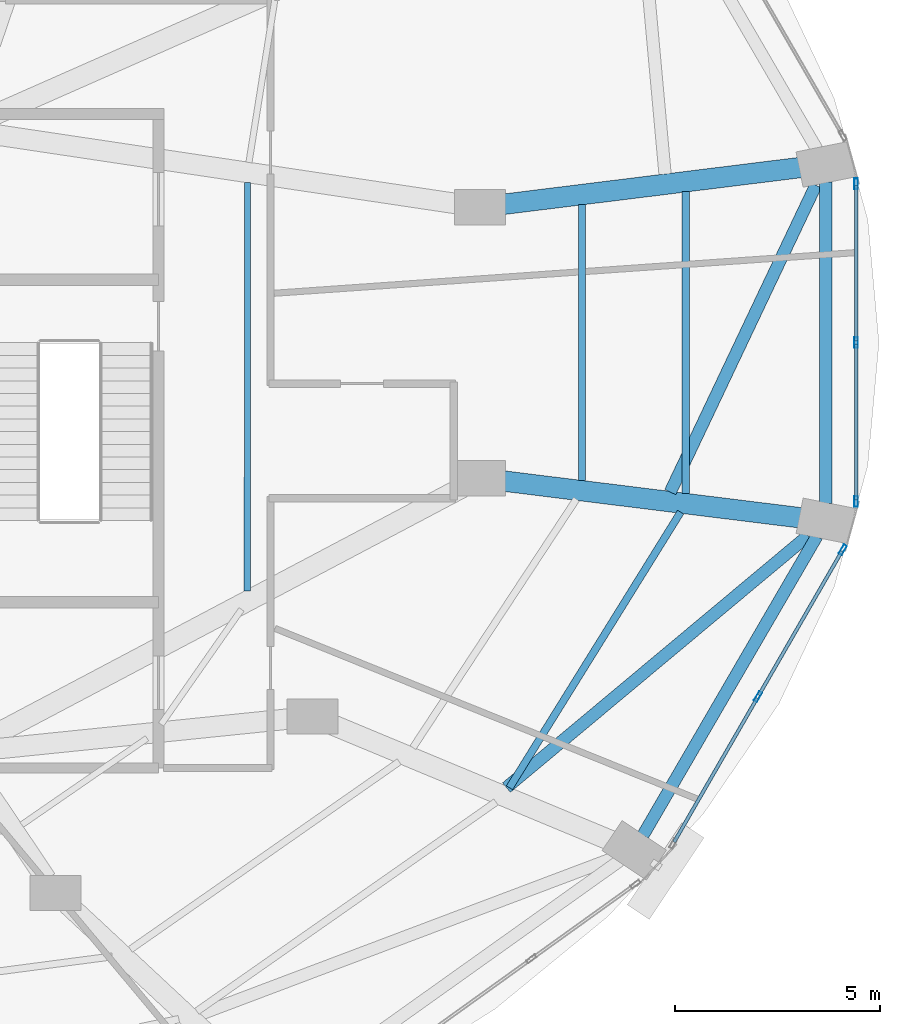
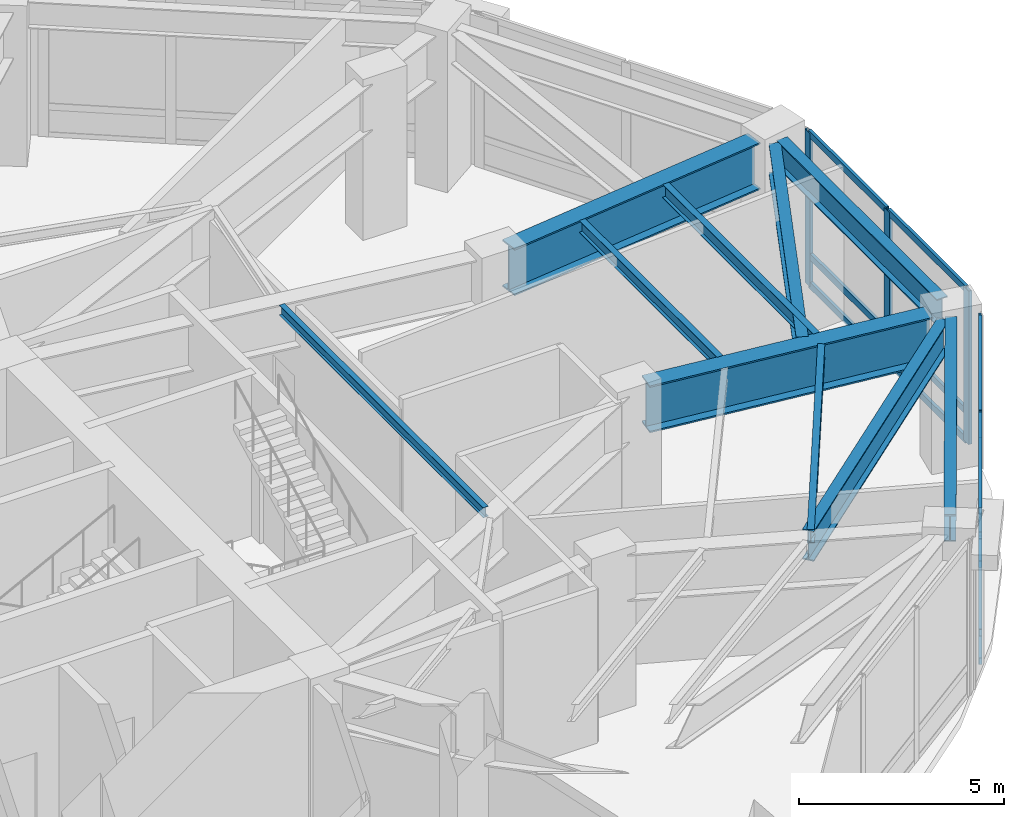
# One storey, part 12 of 24: 17 members, 10 beams, 2 elements without a shape of their own.
"""IFC4 building model written with IfcOpenShell, lengths in metres."""

import ifcopenshell
import ifcopenshell.guid

model = None  # the IFC model being written
_history = None  # IfcOwnerHistory: only IFC2X3 demands one
_inside = {}  # id of a spatial element -> (the spatial element, [elements in it])
_under = {}  # id of a project, library or spatial element -> (it, [spatial elements below it])
_declared = {}  # id of a project -> (the project, [libraries it declares])
_typed = {}  # id of a type object -> (the type object, [elements of that type])
_made_of = {}  # id of a material, layer set ... -> (it, [elements and type objects made of it])


def new_model(schema):
    """Start an empty IFC model of exactly this schema.

    Asked for "IFC4X3", IfcOpenShell would pick the latest addendum, in which some entities
    have other attributes; the version numbers below select the first issue.
    IFC2X3 requires an IfcOwnerHistory on every rooted entity: one is made here for all.
    """
    global model, _history
    if schema == "IFC4X3":
        model = ifcopenshell.file(schema_version=(4, 3, 0, 0))
    else:
        model = ifcopenshell.file(schema=schema)
    _inside.clear()
    _under.clear()
    _declared.clear()
    _typed.clear()
    _made_of.clear()
    _history = None
    if model.schema == "IFC2X3":
        org = make("IfcOrganization", Name="unknown")
        user = make(
            "IfcPersonAndOrganization",
            ThePerson=make("IfcPerson", FamilyName="unknown"),
            TheOrganization=org,
        )
        app = make(
            "IfcApplication",
            ApplicationDeveloper=org,
            Version="unknown",
            ApplicationFullName="unknown",
            ApplicationIdentifier="unknown",
        )
        _history = make(
            "IfcOwnerHistory",
            OwningUser=user,
            OwningApplication=app,
            ChangeAction="ADDED",
            CreationDate=0,
        )
    return model


def make(cls, **values):
    """One entity of the class cls with the attributes given. An attribute that is None is left unset."""
    return model.create_entity(
        cls, **{name: value for name, value in values.items() if value is not None}
    )


def rooted(cls, **values):
    """An entity with a GlobalId (a new one), such as an element, a storey or a relation."""
    return make(cls, GlobalId=ifcopenshell.guid.new(), OwnerHistory=_history, **values)


def si_unit(unit_type, name, prefix=None):
    """IfcSIUnit, for example si_unit("LENGTHUNIT", "METRE", prefix="MILLI")."""
    return make("IfcSIUnit", UnitType=unit_type, Prefix=prefix, Name=name)


def assignment(units):
    """IfcUnitAssignment: the units of a project."""
    return None if units is None else make("IfcUnitAssignment", Units=units)


def point(xyz):
    """IfcCartesianPoint."""
    return None if xyz is None else make("IfcCartesianPoint", Coordinates=xyz)


def direction(xyz):
    """IfcDirection."""
    return None if xyz is None else make("IfcDirection", DirectionRatios=xyz)


def frame(location, z_axis=None, x_axis=None):
    """IfcAxis2Placement3D, a coordinate frame: its origin and axes. An axis left out is left unset."""
    return make(
        "IfcAxis2Placement3D",
        Location=point(location),
        Axis=direction(z_axis),
        RefDirection=direction(x_axis),
    )


def frame_2d(location, x_axis=None):
    """IfcAxis2Placement2D, a coordinate frame in the plane: its origin and x axis."""
    return make(
        "IfcAxis2Placement2D", Location=point(location), RefDirection=direction(x_axis)
    )


def origin():
    """The frame at (0, 0, 0) with its axes left unset."""
    return frame((0.0, 0.0, 0.0))


def origin_2d():
    """The frame at (0, 0) in the plane with its x axis left unset."""
    return frame_2d((0.0, 0.0))


def place(relative_to, where):
    """IfcLocalPlacement: puts the frame where relative to a parent placement (None: the world)."""
    return make(
        "IfcLocalPlacement", PlacementRelTo=relative_to, RelativePlacement=where
    )


def context(
    kind, dimensions, precision=None, world=None, true_north=None, identifier=None
):
    """IfcGeometricRepresentationContext, for example the 3D "Model" context."""
    return make(
        "IfcGeometricRepresentationContext",
        ContextIdentifier=identifier,
        ContextType=kind,
        CoordinateSpaceDimension=dimensions,
        Precision=precision,
        WorldCoordinateSystem=world,
        TrueNorth=true_north,
    )


def subcontext(parent, identifier, kind, view, scale=None):
    """IfcGeometricRepresentationSubContext, for example "Body" below "Model"."""
    return make(
        "IfcGeometricRepresentationSubContext",
        ContextIdentifier=identifier,
        ContextType=kind,
        ParentContext=parent,
        TargetScale=scale,
        TargetView=view,
    )


def project(units=None, contexts=None):
    """IfcProject with its units and contexts."""
    return rooted(
        "IfcProject",
        Name="project",
        RepresentationContexts=contexts,
        UnitsInContext=assignment(units),
    )


def spatial(cls, under=None, at=None, **own):
    """A site, building, storey or space (cls), placed at a placement, below another one or the project."""
    s = rooted(cls, ObjectPlacement=at, **own)
    if under is not None:
        _under.setdefault(under.id(), (under, []))[1].append(s)
    return s


def profile(cls, at=None, kind="AREA", **sizes):
    """A parametric profile (cls). Its sizes go by their IFC names, for example OverallWidth=200.0."""
    return make(cls, ProfileType=kind, Position=at, **sizes)


def hollow_rectangle(**sizes):
    """IfcRectangleHollowProfileDef."""
    return profile("IfcRectangleHollowProfileDef", **sizes)


def i_section(**sizes):
    """IfcIShapeProfileDef."""
    return profile("IfcIShapeProfileDef", **sizes)


def extrude(swept, where, along, depth):
    """IfcExtrudedAreaSolid: the profile swept, set in the frame where, extruded along a direction by depth."""
    return make(
        "IfcExtrudedAreaSolid",
        SweptArea=swept,
        Position=where,
        ExtrudedDirection=direction(along),
        Depth=depth,
    )


def shape(context_of_items, identifier, shape_type, items):
    """IfcShapeRepresentation: the items that make up one representation, for example the "Body"."""
    return make(
        "IfcShapeRepresentation",
        ContextOfItems=context_of_items,
        RepresentationIdentifier=identifier,
        RepresentationType=shape_type,
        Items=items,
    )


def material(Name=None, Category=None):
    """IfcMaterial."""
    return make("IfcMaterial", Name=Name, Category=Category)


def layer(
    of_material, thickness, ventilated=None, Name=None, Category=None, Priority=None
):
    """IfcMaterialLayer: one layer of a wall or slab, of a material (None: an air gap)."""
    return make(
        "IfcMaterialLayer",
        Material=of_material,
        LayerThickness=thickness,
        IsVentilated=ventilated,
        Name=Name,
        Category=Category,
        Priority=Priority,
    )


def layer_set(layers, Name=None):
    """IfcMaterialLayerSet."""
    return make("IfcMaterialLayerSet", MaterialLayers=layers, LayerSetName=Name)


def material_profile(
    of_material, cross_section, Name=None, Category=None, Priority=None
):
    """IfcMaterialProfile: a cross section and its material."""
    return make(
        "IfcMaterialProfile",
        Name=Name,
        Material=of_material,
        Profile=cross_section,
        Priority=Priority,
        Category=Category,
    )


def profile_set(profiles, Name=None, composite=None):
    """IfcMaterialProfileSet."""
    return make(
        "IfcMaterialProfileSet",
        Name=Name,
        MaterialProfiles=profiles,
        CompositeProfile=composite,
    )


def made_of(thing, what):
    """Note that an element or type object is made of a material, layer set ...; save() writes the relation."""
    if what is not None:
        _made_of.setdefault(what.id(), (what, []))[1].append(thing)
    return thing


def type_object(cls, material=None, **own):
    """A type object (cls), such as IfcWallType, which elements share."""
    return made_of(rooted(cls, **own), material)


def element(
    cls,
    number,
    at=None,
    inside=None,
    cuts=None,
    type_object=None,
    material=None,
    context=None,
    identifier="Body",
    shape_type=None,
    held_by="IfcProductDefinitionShape",
    body=None,
    shapes=None,
    **own,
):
    """One element of the class cls, such as IfcWall. Its Tag is "e" and its number.

    at: its placement. inside: the storey or other place that contains it. cuts: it is an
    opening in that element (IfcRelVoidsElement). A single representation is given by context,
    identifier, shape_type and body (its items); several are given by shapes. held_by: the class
    of the entity that holds the representations. save() writes the other relations.
    """
    e = rooted(cls, Tag="e%d" % number, ObjectPlacement=at, **own)
    if body is not None:
        shapes = [shape(context, identifier, shape_type, body)]
    if shapes is not None:
        e.Representation = make(held_by, Representations=shapes)
    if inside is not None:
        _inside.setdefault(inside.id(), (inside, []))[1].append(e)
    if cuts is not None:
        rooted(
            "IfcRelVoidsElement", RelatingBuildingElement=cuts, RelatedOpeningElement=e
        )
    if type_object is not None:
        _typed.setdefault(type_object.id(), (type_object, []))[1].append(e)
    return made_of(e, material)


def aggregate(whole, parts):
    """IfcRelAggregates: a whole, such as a stair, and the parts it consists of."""
    return rooted("IfcRelAggregates", RelatingObject=whole, RelatedObjects=parts)


def save(model, path):
    """Write the relations noted so far, then the file.

    IfcRelAggregates (storeys below a building ...), IfcRelContainedInSpatialStructure (elements
    in a storey), IfcRelDefinesByType, IfcRelAssociatesMaterial and IfcRelDeclares: one each for
    every whole, place, type object, material and project.
    """
    for whole, parts in _under.values():
        aggregate(whole, parts)
    for where, things in _inside.values():
        rooted(
            "IfcRelContainedInSpatialStructure",
            RelatedElements=things,
            RelatingStructure=where,
        )
    for kind, things in _typed.values():
        rooted("IfcRelDefinesByType", RelatedObjects=things, RelatingType=kind)
    for what, things in _made_of.values():
        rooted("IfcRelAssociatesMaterial", RelatedObjects=things, RelatingMaterial=what)
    for by, libraries in _declared.values():
        rooted("IfcRelDeclares", RelatingContext=by, RelatedDefinitions=libraries)
    model.write(path)


model = new_model("IFC4")

# Units and contexts
model_context = context("Model", 3, precision=1e-05, world=origin(), true_north=direction((0.0, 1.0)))
body_context = subcontext(model_context, "Body", "Model", "MODEL_VIEW")
ifc_project = project(units=[si_unit("LENGTHUNIT", "METRE"), si_unit("AREAUNIT", "SQUARE_METRE"), si_unit("VOLUMEUNIT", "CUBIC_METRE"), si_unit("PLANEANGLEUNIT", "RADIAN"), si_unit("MASSUNIT", "GRAM", prefix="KILO")], contexts=[model_context])

# Site, building, storey
site_placement = place(None, origin())
site = spatial("IfcSite", under=ifc_project, at=site_placement, CompositionType="ELEMENT")
building_placement = place(site_placement, origin())
building = spatial("IfcBuilding", under=site, at=building_placement, Name="Lazwardi Medical Tower", CompositionType="ELEMENT")
storey_placement = place(building_placement, frame((0.0, 0.0, 20.39990234375)))
storey = spatial("IfcBuildingStorey", under=building, at=storey_placement, Name="L04", CompositionType="ELEMENT", Elevation=20.39990234375)

# Beams
ifc_material_1 = material(Name="Steel S460", Category="steel")
ifc_material_profile_1 = material_profile(ifc_material_1, i_section(OverallWidth=0.300048828125, OverallDepth=0.89990234375, WebThickness=0.0185546875, FlangeThickness=0.034912109375, at=origin_2d()), Name="HEB 900")
ifc_profile_set_1 = profile_set([ifc_material_profile_1], Name="Steel S460")
beam_type_1 = type_object("IfcBeamType", Name="BM-HB-01", PredefinedType="BEAM", material=ifc_profile_set_1)
beam_1_placement = place(storey_placement, frame((58.907958984375, 19.54296875, 4.130126953125), z_axis=(0.767532240903, 0.641010342486, 0.0), x_axis=(-0.641010342486, 0.767532240903, 0.0)))
element("IfcBeam", 1, at=beam_1_placement, inside=storey, type_object=beam_type_1, Name="Transfer girder tie HB-01 M03 L04", PredefinedType="BEAM", context=body_context, shape_type="SweptSolid", body=[
    extrude(i_section(OverallWidth=0.300048828125, OverallDepth=0.89990234375, WebThickness=0.0185546875, FlangeThickness=0.034912109375, at=origin_2d()), origin(), (0.0, 0.0, 1.0), 9.59033203125),
])
beam_2_placement = place(storey_placement, frame((62.905029296875, 26.753662109375, 4.130126953125), z_axis=(0.428601464893, 0.903493654815, 0.0), x_axis=(-0.903493654815, 0.428601464893, 0.0)))
element("IfcBeam", 2, at=beam_2_placement, inside=storey, type_object=beam_type_1, Name="Transfer girder tie HB-01 M04 L04", PredefinedType="BEAM", context=body_context, shape_type="SweptSolid", body=[
    extrude(i_section(OverallWidth=0.300048828125, OverallDepth=0.89990234375, WebThickness=0.0185546875, FlangeThickness=0.034912109375, at=origin_2d()), origin(), (0.0, 0.0, 1.0), 8.290771484375),
])
ifc_material_2 = material(Name="Steel S355", Category="steel")
ifc_material_profile_2 = material_profile(ifc_material_2, i_section(OverallWidth=0.300048828125, OverallDepth=0.800048828125, WebThickness=0.017578125, FlangeThickness=0.032958984375, at=origin_2d()), Name="HEB 800")
ifc_profile_set_2 = profile_set([ifc_material_profile_2], Name="Steel S355")
beam_type_2 = type_object("IfcBeamType", Name="BM-RB-P1", PredefinedType="BEAM", material=ifc_profile_set_2)
beam_3_placement = place(storey_placement, frame((62.2412109375, 18.382568359375, 4.18017578125), z_axis=(0.502605874383, 0.864515665003, 0.0), x_axis=(-0.864515665003, 0.502605874383, 0.0)))
element("IfcBeam", 3, at=beam_3_placement, inside=storey, type_object=beam_type_2, Name="Ring beam RB-01 B03 L04", PredefinedType="BEAM", context=body_context, shape_type="SweptSolid", body=[
    extrude(i_section(OverallWidth=0.300048828125, OverallDepth=0.800048828125, WebThickness=0.017578125, FlangeThickness=0.032958984375, at=origin_2d()), origin(), (0.0, 0.0, 1.0), 8.4384765625),
])
beam_4_placement = place(storey_placement, frame((66.698486328125, 26.4794921875, 4.18017578125), z_axis=(0.0, 1.0, 0.0), x_axis=(-1.0, 0.0, 0.0)))
element("IfcBeam", 4, at=beam_4_placement, inside=storey, type_object=beam_type_2, Name="Ring beam RB-01 B04 L04", PredefinedType="BEAM", context=body_context, shape_type="SweptSolid", body=[
    extrude(i_section(OverallWidth=0.300048828125, OverallDepth=0.800048828125, WebThickness=0.017578125, FlangeThickness=0.032958984375, at=origin_2d()), origin(), (0.0, 0.0, 1.0), 7.841064453125),
])
ifc_material_profile_3 = material_profile(ifc_material_2, i_section(OverallWidth=0.179931640625, OverallDepth=0.39990234375, WebThickness=0.008544921875, FlangeThickness=0.013427734375, at=origin_2d()), Name="IPE 400")
ifc_profile_set_3 = profile_set([ifc_material_profile_3], Name="Steel S355")
beam_type_3 = type_object("IfcBeamType", Name="BM-SJ-01", PredefinedType="JOIST", material=ifc_profile_set_3)
beam_5_placement = place(storey_placement, frame((58.98046875, 19.539306640625, 4.380126953125), z_axis=(0.527668366356, 0.849450466565, 0.0), x_axis=(-0.849450466565, 0.527668366356, 0.0)))
element("IfcBeam", 5, at=beam_5_placement, inside=storey, type_object=beam_type_3, Name="Secondary joist SJ-01 RO1 B03 L04", PredefinedType="JOIST", context=body_context, shape_type="SweptSolid", body=[
    extrude(i_section(OverallWidth=0.179931640625, OverallDepth=0.39990234375, WebThickness=0.008544921875, FlangeThickness=0.013427734375, at=origin_2d()), origin(), (0.0, 0.0, 1.0), 7.91650390625),
])
beam_6_placement = place(storey_placement, frame((63.287109375, 26.716796875, 4.380126953125), z_axis=(0.0, 1.0, 0.0), x_axis=(-1.0, 0.0, 0.0)))
element("IfcBeam", 6, at=beam_6_placement, inside=storey, type_object=beam_type_3, Name="Secondary joist SJ-01 RO1 B04 L04", PredefinedType="JOIST", context=body_context, shape_type="SweptSolid", body=[
    extrude(i_section(OverallWidth=0.179931640625, OverallDepth=0.39990234375, WebThickness=0.008544921875, FlangeThickness=0.013427734375, at=origin_2d()), origin(), (0.0, 0.0, 1.0), 7.3662109375),
])
ifc_material_profile_4 = material_profile(ifc_material_2, i_section(OverallWidth=0.169921875, OverallDepth=0.360107421875, WebThickness=0.008056640625, FlangeThickness=0.0126953125, at=origin_2d()), Name="IPE 360")
ifc_profile_set_4 = profile_set([ifc_material_profile_4], Name="Steel S355")
beam_type_4 = type_object("IfcBeamType", Name="BM-SJ-02", PredefinedType="JOIST", material=ifc_profile_set_4)
beam_7_placement = place(storey_placement, frame((60.74951171875, 27.031005859375, 4.400146484375), z_axis=(0.0, 1.0, 0.0), x_axis=(-1.0, 0.0, 0.0)))
element("IfcBeam", 7, at=beam_7_placement, inside=storey, type_object=beam_type_4, Name="Secondary joist SJ-02 RO2 B04 L04", PredefinedType="JOIST", context=body_context, shape_type="SweptSolid", body=[
    extrude(i_section(OverallWidth=0.169921875, OverallDepth=0.360107421875, WebThickness=0.008056640625, FlangeThickness=0.0126953125, at=origin_2d()), origin(), (0.0, 0.0, 1.0), 6.73779296875),
])
ifc_material_profile_5 = material_profile(ifc_material_2, i_section(OverallWidth=0.14990234375, OverallDepth=0.300048828125, WebThickness=0.007080078125, FlangeThickness=0.0107421875, at=origin_2d()), Name="IPE 300")
ifc_profile_set_5 = profile_set([ifc_material_profile_5], Name="Steel S355")
beam_type_5 = type_object("IfcBeamType", Name="BM-SJ-03", PredefinedType="JOIST", material=ifc_profile_set_5)
beam_8_placement = place(storey_placement, frame((52.5830078125, 24.33642578125, 4.43017578125), z_axis=(0.000220302053, 0.999999975734, 0.0), x_axis=(-0.999999975734, 0.000220302053, 0.0)))
element("IfcBeam", 8, at=beam_8_placement, inside=storey, type_object=beam_type_5, Name="Secondary joist SJ-03 RI1 B04 L04", PredefinedType="JOIST", context=body_context, shape_type="SweptSolid", body=[
    extrude(i_section(OverallWidth=0.14990234375, OverallDepth=0.300048828125, WebThickness=0.007080078125, FlangeThickness=0.0107421875, at=origin_2d()), origin(), (0.0, 0.0, 1.0), 9.973876953125),
])
ifc_material_profile_6 = material_profile(ifc_material_1, i_section(OverallWidth=0.5, OverallDepth=1.39990234375, WebThickness=0.028076171875, FlangeThickness=0.044921875, at=origin_2d()), Name="PG 1400x500")
ifc_profile_set_6 = profile_set([ifc_material_profile_6], Name="Steel S460")
beam_type_6 = type_object("IfcBeamType", Name="BM-TG-01", PredefinedType="BEAM", material=ifc_profile_set_6)
for number, where, z_axis, x_axis, name in (
    (9, (66.123046875, 26.120849609375, 3.880126953125), (-0.992421549031, 0.122879896728, 0.0), (-0.122879896728, -0.992421549031, 0.0), "Transfer girder TG-01 M04A L04"),
    (10, (66.123046875, 34.67919921875, 3.880126953125), (-0.992421549031, -0.122879896728, 0.0), (0.122879896728, -0.992421549031, 0.0), "Transfer girder TG-01 M05A L04"),
):
    element("IfcBeam", number, at=place(storey_placement, frame(where, z_axis=z_axis, x_axis=x_axis)), inside=storey, type_object=beam_type_6, Name=name, PredefinedType="BEAM", context=body_context, shape_type="SweptSolid", body=[
        extrude(i_section(OverallWidth=0.5, OverallDepth=1.39990234375, WebThickness=0.028076171875, FlangeThickness=0.044921875, at=origin_2d()), origin(), (0.0, 0.0, 1.0), 7.52001953125),
    ])

# Curtain wall, members
ifc_material_3 = material(Name="Anodised bronze aluminium and solar control glazing", Category="aluminium")
ifc_layer = layer(ifc_material_3, 0.219970703125)
ifc_layer_set = layer_set([ifc_layer], Name="Anodised bronze aluminium and solar control glazing")
curtain_wall_type = type_object("IfcCurtainWallType", Name="CW-SYS-01", PredefinedType="NOTDEFINED", material=ifc_layer_set)
curtain_wall_1_placement = place(storey_placement, origin())
curtain_wall_1 = element("IfcCurtainWall", 11, at=curtain_wall_1_placement, inside=storey, type_object=curtain_wall_type, Name="L04 Unitised bronze curtain wall CW-01", PredefinedType="NOTDEFINED")
ifc_material_4 = material(Name="Anodised bronze aluminium", Category="aluminium")
ifc_material_profile_7 = material_profile(ifc_material_4, hollow_rectangle(XDim=0.0849609375, YDim=0.260009765625, WallThickness=0.0048828125, at=origin_2d()), Name="ALU-MULLION 260x85x5")
ifc_profile_set_7 = profile_set([ifc_material_profile_7], Name="Anodised bronze aluminium")
member_type_1 = type_object("IfcMemberType", Name="CW-MUL-02", PredefinedType="MULLION", material=ifc_profile_set_7)
member_1_placement = place(storey_placement, frame((65.04638671875, 21.761962890625, 0.0), z_axis=(0.0, 0.0, 1.0), x_axis=(-0.866180607783, 0.499731082384, 0.0)))
member_1 = element("IfcMember", 12, at=member_1_placement, type_object=member_type_1, Name="CW-01 mullion 2", PredefinedType="MULLION", context=body_context, shape_type="SweptSolid", body=[
    extrude(hollow_rectangle(XDim=0.0849609375, YDim=0.260009765625, WallThickness=0.0048828125, at=origin_2d()), origin(), (0.0, 0.0, 1.0), 4.580078125),
])
member_2_placement = place(storey_placement, frame((67.1142578125, 25.345947265625, 0.0), z_axis=(0.0, 0.0, 1.0), x_axis=(-0.866180607783, 0.499731082384, 0.0)))
member_2 = element("IfcMember", 13, at=member_2_placement, type_object=member_type_1, Name="CW-01 mullion 3", PredefinedType="MULLION", context=body_context, shape_type="SweptSolid", body=[
    extrude(hollow_rectangle(XDim=0.0849609375, YDim=0.260009765625, WallThickness=0.0048828125, at=origin_2d()), origin(), (0.0, 0.0, 1.0), 4.580078125),
])

curtain_wall_2_placement = place(storey_placement, origin())
curtain_wall_2 = element("IfcCurtainWall", 14, at=curtain_wall_2_placement, inside=storey, type_object=curtain_wall_type, Name="L04 Unitised bronze curtain wall CW-01", PredefinedType="NOTDEFINED")
member_3_placement = place(storey_placement, frame((67.439697265625, 26.523193359375, 0.0), z_axis=(0.0, 0.0, 1.0), x_axis=(-1.0, 0.0, 0.0)))
member_3 = element("IfcMember", 15, at=member_3_placement, type_object=member_type_1, Name="CW-01 mullion 1", PredefinedType="MULLION", context=body_context, shape_type="SweptSolid", body=[
    extrude(hollow_rectangle(XDim=0.0849609375, YDim=0.260009765625, WallThickness=0.0048828125, at=origin_2d()), origin(), (0.0, 0.0, 1.0), 4.580078125),
])
member_4_placement = place(storey_placement, frame((67.439697265625, 30.39990234375, 0.0), z_axis=(0.0, 0.0, 1.0), x_axis=(-1.0, 0.0, 0.0)))
member_4 = element("IfcMember", 16, at=member_4_placement, type_object=member_type_1, Name="CW-01 mullion 2", PredefinedType="MULLION", context=body_context, shape_type="SweptSolid", body=[
    extrude(hollow_rectangle(XDim=0.0849609375, YDim=0.260009765625, WallThickness=0.0048828125, at=origin_2d()), origin(), (0.0, 0.0, 1.0), 4.580078125),
])
member_5_placement = place(storey_placement, frame((67.439697265625, 34.276611328125, 0.0), z_axis=(0.0, 0.0, 1.0), x_axis=(-1.0, 0.0, 0.0)))
member_5 = element("IfcMember", 17, at=member_5_placement, type_object=member_type_1, Name="CW-01 mullion 3", PredefinedType="MULLION", context=body_context, shape_type="SweptSolid", body=[
    extrude(hollow_rectangle(XDim=0.0849609375, YDim=0.260009765625, WallThickness=0.0048828125, at=origin_2d()), origin(), (0.0, 0.0, 1.0), 4.580078125),
])

# Member
ifc_material_profile_8 = material_profile(ifc_material_4, hollow_rectangle(XDim=0.0849609375, YDim=0.199951171875, WallThickness=0.00439453125, at=origin_2d()), Name="ALU-TRANSOM 200x85x4.5")
ifc_profile_set_8 = profile_set([ifc_material_profile_8], Name="Anodised bronze aluminium")
member_type_2 = type_object("IfcMemberType", Name="CW-TRN-02", PredefinedType="USERDEFINED", material=ifc_profile_set_8)
member_6_placement = place(storey_placement, frame((62.999755859375, 18.21484375, 0.04248046875), z_axis=(0.499767651026, 0.866159508975, 0.0), x_axis=(-0.866159508975, 0.499767651026, 0.0)))
member_6 = element("IfcMember", 18, at=member_6_placement, type_object=member_type_2, Name="CW-01 transom 1.1", ObjectType="TRANSOM", PredefinedType="USERDEFINED", context=body_context, shape_type="SweptSolid", body=[
    extrude(hollow_rectangle(XDim=0.0849609375, YDim=0.199951171875, WallThickness=0.00439453125, at=origin_2d()), origin(), (0.0, 0.0, 1.0), 4.052734375),
])

member_7_placement = place(storey_placement, frame((62.999755859375, 18.21484375, 0.900146484375), z_axis=(0.499767651026, 0.866159508975, 0.0), x_axis=(-0.866159508975, 0.499767651026, 0.0)))
member_7 = element("IfcMember", 19, at=member_7_placement, type_object=member_type_2, Name="CW-01 transom 1.2", ObjectType="TRANSOM", PredefinedType="USERDEFINED", context=body_context, shape_type="SweptSolid", body=[
    extrude(hollow_rectangle(XDim=0.0849609375, YDim=0.199951171875, WallThickness=0.00439453125, at=origin_2d()), origin(), (0.0, 0.0, 1.0), 4.052734375),
])

member_8_placement = place(storey_placement, frame((62.999755859375, 18.21484375, 4.53759765625), z_axis=(0.499767651026, 0.866159508975, 0.0), x_axis=(-0.866159508975, 0.499767651026, 0.0)))
member_8 = element("IfcMember", 20, at=member_8_placement, type_object=member_type_2, Name="CW-01 transom 1.3", ObjectType="TRANSOM", PredefinedType="USERDEFINED", context=body_context, shape_type="SweptSolid", body=[
    extrude(hollow_rectangle(XDim=0.0849609375, YDim=0.199951171875, WallThickness=0.00439453125, at=origin_2d()), origin(), (0.0, 0.0, 1.0), 4.052734375),
])

member_9_placement = place(storey_placement, frame((65.067626953125, 21.798828125, 0.04248046875), z_axis=(0.499767651026, 0.866159508975, 0.0), x_axis=(-0.866159508975, 0.499767651026, 0.0)))
member_9 = element("IfcMember", 21, at=member_9_placement, type_object=member_type_2, Name="CW-01 transom 2.1", ObjectType="TRANSOM", PredefinedType="USERDEFINED", context=body_context, shape_type="SweptSolid", body=[
    extrude(hollow_rectangle(XDim=0.0849609375, YDim=0.199951171875, WallThickness=0.00439453125, at=origin_2d()), origin(), (0.0, 0.0, 1.0), 4.052734375),
])

member_10_placement = place(storey_placement, frame((65.067626953125, 21.798828125, 0.900146484375), z_axis=(0.499767651026, 0.866159508975, 0.0), x_axis=(-0.866159508975, 0.499767651026, 0.0)))
member_10 = element("IfcMember", 22, at=member_10_placement, type_object=member_type_2, Name="CW-01 transom 2.2", ObjectType="TRANSOM", PredefinedType="USERDEFINED", context=body_context, shape_type="SweptSolid", body=[
    extrude(hollow_rectangle(XDim=0.0849609375, YDim=0.199951171875, WallThickness=0.00439453125, at=origin_2d()), origin(), (0.0, 0.0, 1.0), 4.052734375),
])

member_11_placement = place(storey_placement, frame((65.067626953125, 21.798828125, 4.53759765625), z_axis=(0.499767651026, 0.866159508975, 0.0), x_axis=(-0.866159508975, 0.499767651026, 0.0)))
member_11 = element("IfcMember", 23, at=member_11_placement, type_object=member_type_2, Name="CW-01 transom 2.3", ObjectType="TRANSOM", PredefinedType="USERDEFINED", context=body_context, shape_type="SweptSolid", body=[
    extrude(hollow_rectangle(XDim=0.0849609375, YDim=0.199951171875, WallThickness=0.00439453125, at=origin_2d()), origin(), (0.0, 0.0, 1.0), 4.052734375),
])

aggregate(curtain_wall_1, [member_1, member_2, member_6, member_7, member_8, member_9, member_10, member_11])

member_12_placement = place(storey_placement, frame((67.439697265625, 26.56591796875, 0.04248046875), z_axis=(0.0, 1.0, 0.0), x_axis=(-1.0, 0.0, 0.0)))
member_12 = element("IfcMember", 24, at=member_12_placement, type_object=member_type_2, Name="CW-01 transom 1.1", ObjectType="TRANSOM", PredefinedType="USERDEFINED", context=body_context, shape_type="SweptSolid", body=[
    extrude(hollow_rectangle(XDim=0.0849609375, YDim=0.199951171875, WallThickness=0.00439453125, at=origin_2d()), origin(), (0.0, 0.0, 1.0), 3.79150390625),
])

member_13_placement = place(storey_placement, frame((67.439697265625, 26.56591796875, 0.900146484375), z_axis=(0.0, 1.0, 0.0), x_axis=(-1.0, 0.0, 0.0)))
member_13 = element("IfcMember", 25, at=member_13_placement, type_object=member_type_2, Name="CW-01 transom 1.2", ObjectType="TRANSOM", PredefinedType="USERDEFINED", context=body_context, shape_type="SweptSolid", body=[
    extrude(hollow_rectangle(XDim=0.0849609375, YDim=0.199951171875, WallThickness=0.00439453125, at=origin_2d()), origin(), (0.0, 0.0, 1.0), 3.79150390625),
])

member_14_placement = place(storey_placement, frame((67.439697265625, 26.56591796875, 4.53759765625), z_axis=(0.0, 1.0, 0.0), x_axis=(-1.0, 0.0, 0.0)))
member_14 = element("IfcMember", 26, at=member_14_placement, type_object=member_type_2, Name="CW-01 transom 1.3", ObjectType="TRANSOM", PredefinedType="USERDEFINED", context=body_context, shape_type="SweptSolid", body=[
    extrude(hollow_rectangle(XDim=0.0849609375, YDim=0.199951171875, WallThickness=0.00439453125, at=origin_2d()), origin(), (0.0, 0.0, 1.0), 3.79150390625),
])

member_15_placement = place(storey_placement, frame((67.439697265625, 30.4423828125, 0.04248046875), z_axis=(0.0, 1.0, 0.0), x_axis=(-1.0, 0.0, 0.0)))
member_15 = element("IfcMember", 27, at=member_15_placement, type_object=member_type_2, Name="CW-01 transom 2.1", ObjectType="TRANSOM", PredefinedType="USERDEFINED", context=body_context, shape_type="SweptSolid", body=[
    extrude(hollow_rectangle(XDim=0.0849609375, YDim=0.199951171875, WallThickness=0.00439453125, at=origin_2d()), origin(), (0.0, 0.0, 1.0), 3.791748046875),
])

member_16_placement = place(storey_placement, frame((67.439697265625, 30.4423828125, 0.900146484375), z_axis=(0.0, 1.0, 0.0), x_axis=(-1.0, 0.0, 0.0)))
member_16 = element("IfcMember", 28, at=member_16_placement, type_object=member_type_2, Name="CW-01 transom 2.2", ObjectType="TRANSOM", PredefinedType="USERDEFINED", context=body_context, shape_type="SweptSolid", body=[
    extrude(hollow_rectangle(XDim=0.0849609375, YDim=0.199951171875, WallThickness=0.00439453125, at=origin_2d()), origin(), (0.0, 0.0, 1.0), 3.791748046875),
])

member_17_placement = place(storey_placement, frame((67.439697265625, 30.4423828125, 4.53759765625), z_axis=(0.0, 1.0, 0.0), x_axis=(-1.0, 0.0, 0.0)))
member_17 = element("IfcMember", 29, at=member_17_placement, type_object=member_type_2, Name="CW-01 transom 2.3", ObjectType="TRANSOM", PredefinedType="USERDEFINED", context=body_context, shape_type="SweptSolid", body=[
    extrude(hollow_rectangle(XDim=0.0849609375, YDim=0.199951171875, WallThickness=0.00439453125, at=origin_2d()), origin(), (0.0, 0.0, 1.0), 3.791748046875),
])

aggregate(curtain_wall_2, [member_3, member_4, member_5, member_12, member_13, member_14, member_15, member_16, member_17])

save(model, "model.ifc")
